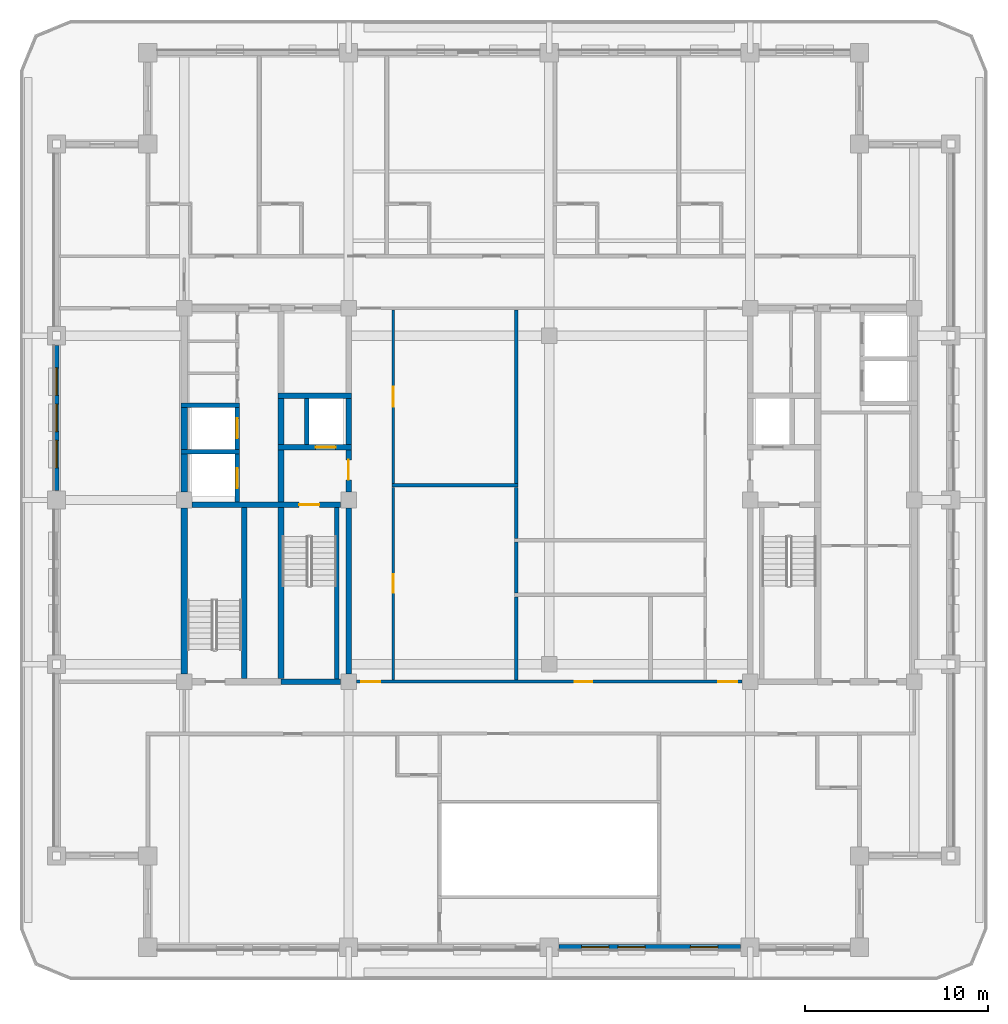
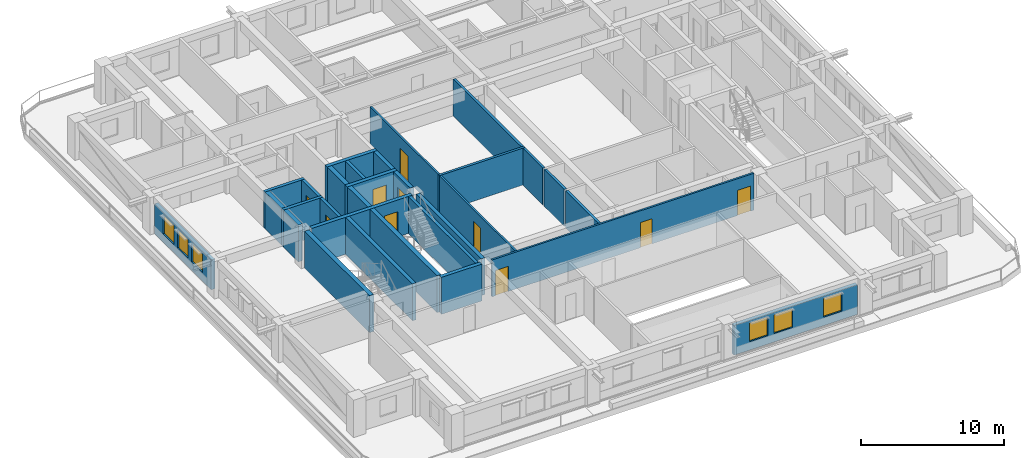
# One storey, part 3 of 14: 30 walls, 10 doors, 6 windows, 16 openings.
"""IFC4 building model written with IfcOpenShell, lengths in metres."""

from ifc_helpers import new_model, si_unit, direction, frame, frame_2d, origin, place, context, subcontext, project, spatial, rectangle, extrude, material, layer, layer_set, type_object, element, fill, save


model = new_model("IFC4")

# Units and contexts
model_context = context("Model", 3, precision=1e-05, world=origin(), true_north=direction((0.0, 1.0)))
body_context = subcontext(model_context, "Body", "Model", "MODEL_VIEW")
ifc_project = project(units=[si_unit("LENGTHUNIT", "METRE"), si_unit("AREAUNIT", "SQUARE_METRE"), si_unit("VOLUMEUNIT", "CUBIC_METRE"), si_unit("PLANEANGLEUNIT", "RADIAN"), si_unit("MASSUNIT", "GRAM", prefix="KILO")], contexts=[model_context])

# Site, building, storey
site_placement = place(None, origin())
site = spatial("IfcSite", under=ifc_project, at=site_placement, CompositionType="ELEMENT")
building_placement = place(site_placement, origin())
building = spatial("IfcBuilding", under=site, at=building_placement, Name="Zulmaris Gate Convention Tower", CompositionType="ELEMENT")
storey_placement = place(building_placement, frame((0.0, 0.0, 215.260009765625)))
storey = spatial("IfcBuildingStorey", under=building, at=storey_placement, Name="L56", CompositionType="ELEMENT", Elevation=215.260009765625)

# Walls
ifc_material_1 = material(Name="Concrete C50/60", Category="concrete")
ifc_layer_1 = layer(ifc_material_1, 0.25, Name="Concrete C50/60")
ifc_layer_set_1 = layer_set([ifc_layer_1], Name="Concrete C50/60")
wall_type_1 = type_object("IfcWallType", Name="CORE-250", PredefinedType="SOLIDWALL", material=ifc_layer_set_1)
for number, where, z_axis, x_axis, name in (
    (1, (-20.175048828125, 2.64990234375, 0.0), (0.0, 0.0, 1.0), (1.0, 0.0, 0.0), "WL-L56-007"),
    (2, (-20.175048828125, 5.199951171875, 0.0), (0.0, 0.0, 1.0), (1.0, 0.0, 0.0), "WL-L56-010"),
):
    element("IfcWall", number, at=place(storey_placement, frame(where, z_axis=z_axis, x_axis=x_axis)), inside=storey, type_object=wall_type_1, Name=name, PredefinedType="SOLIDWALL", context=body_context, shape_type="SweptSolid", body=[
        extrude(rectangle(XDim=3.199951171875, YDim=0.25, at=frame_2d((1.60009765625, 0.0))), origin(), (0.0, 0.0, 1.0), 3.14990234375),
    ])

# Wall, opening, door
wall_1_placement = place(storey_placement, frame((-17.10009765625, -0.097900390625, 0.0), z_axis=(0.0, 0.0, 1.0), x_axis=(0.0, 1.0, 0.0)))
wall_1 = element("IfcWall", 3, at=wall_1_placement, inside=storey, type_object=wall_type_1, Name="WL-L56-050", PredefinedType="SOLIDWALL", context=body_context, shape_type="SweptSolid", body=[
    extrude(rectangle(XDim=2.620849609375, YDim=0.25, at=frame_2d((1.310546875, 0.0))), origin(), (0.0, 0.0, 1.0), 3.14990234375),
])
opening_1_placement = place(wall_1_placement, frame((0.748046875, 0.0, 0.0)))
opening_1 = element("IfcOpeningElement", 4, at=opening_1_placement, cuts=wall_1, Name="Opening D-06", PredefinedType="OPENING", context=body_context, shape_type="SweptSolid", body=[
    extrude(rectangle(XDim=1.10009765625, YDim=2.199951171875, at=frame_2d((0.550048828125, 1.10009765625))), frame((0.0, 0.135009765625, 0.0), z_axis=(0.0, -1.0, 0.0), x_axis=(1.0, 0.0, 0.0)), (0.0, 0.0, 1.0), 0.27001953125),
])
ifc_material_2 = material(Name="Brushed Stainless Steel", Category="steel")
door_type_1 = type_object("IfcDoorType", Name="LD-1100", OperationType="NOTDEFINED", PredefinedType="DOOR", material=ifc_material_2)
door_1_placement = place(opening_1_placement, origin())
door_1 = element("IfcDoor", 5, at=door_1_placement, inside=storey, type_object=door_type_1, Name="L56 Lift Landing Door HP-03 11", OperationType="SLIDING_TO_LEFT", OverallHeight=2.199951171875, OverallWidth=1.10009765625, PredefinedType="DOOR", context=body_context, shape_type="SweptSolid", body=[
    extrude(rectangle(XDim=1.10009765625, YDim=2.199951171875, at=frame_2d((0.550048828125, 1.10009765625))), frame((0.0, 0.02490234375, 0.0), z_axis=(0.0, -1.0, 0.0), x_axis=(1.0, 0.0, 0.0)), (0.0, 0.0, 1.0), 0.050048828125),
])
fill(opening_1, door_1)

wall_2_placement = place(storey_placement, frame((-17.10009765625, 2.777099609375, 0.0), z_axis=(0.0, 0.0, 1.0), x_axis=(0.0, 1.0, 0.0)))
wall_2 = element("IfcWall", 6, at=wall_2_placement, inside=storey, type_object=wall_type_1, Name="WL-L56-051", PredefinedType="SOLIDWALL", context=body_context, shape_type="SweptSolid", body=[
    extrude(rectangle(XDim=2.2958984375, YDim=0.25, at=frame_2d((1.14794921875, 0.0))), origin(), (0.0, 0.0, 1.0), 3.14990234375),
])
opening_2_placement = place(wall_2_placement, frame((0.597900390625, 0.0, 0.0)))
opening_2 = element("IfcOpeningElement", 7, at=opening_2_placement, cuts=wall_2, Name="Opening D-06", PredefinedType="OPENING", context=body_context, shape_type="SweptSolid", body=[
    extrude(rectangle(XDim=1.10009765625, YDim=2.199951171875, at=frame_2d((0.550048828125, 1.10009765625))), frame((0.0, 0.135009765625, 0.0), z_axis=(0.0, -1.0, 0.0), x_axis=(1.0, 0.0, 0.0)), (0.0, 0.0, 1.0), 0.27001953125),
])
door_2_placement = place(opening_2_placement, origin())
door_2 = element("IfcDoor", 8, at=door_2_placement, inside=storey, type_object=door_type_1, Name="L56 Lift Landing Door HP-04 12", OperationType="SLIDING_TO_LEFT", OverallHeight=2.199951171875, OverallWidth=1.10009765625, PredefinedType="DOOR", context=body_context, shape_type="SweptSolid", body=[
    extrude(rectangle(XDim=1.10009765625, YDim=2.199951171875, at=frame_2d((0.550048828125, 1.10009765625))), frame((0.0, 0.02490234375, 0.0), z_axis=(0.0, -1.0, 0.0), x_axis=(1.0, 0.0, 0.0)), (0.0, 0.0, 1.0), 0.050048828125),
])
fill(opening_2, door_2)

# Walls
wall_3_placement = place(storey_placement, frame((-13.300048828125, 3.052001953125, 0.0), z_axis=(0.0, 0.0, 1.0), x_axis=(0.0, 1.0, 0.0)))
element("IfcWall", 9, at=wall_3_placement, inside=storey, type_object=wall_type_1, Name="WL-L56-057", PredefinedType="SOLIDWALL", context=body_context, shape_type="SweptSolid", body=[
    extrude(rectangle(XDim=2.49609375, YDim=0.25, at=frame_2d((1.248046875, 0.0))), origin(), (0.0, 0.0, 1.0), 3.14990234375),
])
wall_4_placement = place(storey_placement, frame((-11.64990234375, -9.798095703125, 0.0), z_axis=(0.0, 0.0, 1.0), x_axis=(0.0, 1.0, 0.0)))
element("IfcWall", 10, at=wall_4_placement, inside=storey, type_object=wall_type_1, Name="WL-L56-058", PredefinedType="SOLIDWALL", context=body_context, shape_type="SweptSolid", body=[
    extrude(rectangle(XDim=9.39599609375, YDim=0.25, at=frame_2d((4.697998046875, 0.0))), origin(), (0.0, 0.0, 1.0), 3.14990234375),
])
ifc_layer_2 = layer(ifc_material_1, 0.300048828125, Name="Concrete C50/60")
ifc_layer_set_2 = layer_set([ifc_layer_2], Name="Concrete C50/60")
wall_type_2 = type_object("IfcWallType", Name="CORE-300", PredefinedType="SHEAR", material=ifc_layer_set_2)
wall_5_placement = place(storey_placement, frame((-14.699951171875, -9.949951171875, 0.0), z_axis=(0.0, 0.0, 1.0), x_axis=(1.0, 0.0, 0.0)))
element("IfcWall", 11, at=wall_5_placement, inside=storey, type_object=wall_type_2, Name="WL-L56-002", PredefinedType="SHEAR", context=body_context, shape_type="SweptSolid", body=[
    extrude(rectangle(XDim=3.27099609375, YDim=0.300048828125, at=frame_2d((1.635498046875, 0.0))), origin(), (0.0, 0.0, 1.0), 3.14990234375),
])

# Wall, opening, door
wall_6_placement = place(storey_placement, frame((-19.571044921875, -0.25, 0.0), z_axis=(0.0, 0.0, 1.0), x_axis=(1.0, 0.0, 0.0)))
wall_6 = element("IfcWall", 12, at=wall_6_placement, inside=storey, type_object=wall_type_2, Name="WL-L56-005", PredefinedType="SHEAR", context=body_context, shape_type="SweptSolid", body=[
    extrude(rectangle(XDim=8.14208984375, YDim=0.300048828125, at=frame_2d((4.071044921875, 0.0))), origin(), (0.0, 0.0, 1.0), 3.14990234375),
])
opening_3_placement = place(wall_6_placement, frame((5.87109375, 0.0, 0.0)))
opening_3 = element("IfcOpeningElement", 13, at=opening_3_placement, cuts=wall_6, Name="Opening D-08", PredefinedType="OPENING", context=body_context, shape_type="SweptSolid", body=[
    extrude(rectangle(XDim=1.10009765625, YDim=2.14990234375, at=frame_2d((0.550048828125, 1.074951171875))), frame((0.0, 0.16015625, 0.0), z_axis=(0.0, -1.0, 0.0), x_axis=(1.0, 0.0, 0.0)), (0.0, 0.0, 1.0), 0.320068359375),
])
ifc_material_3 = material(Name="Fire-Rated Steel", Category="steel")
door_type_2 = type_object("IfcDoorType", Name="DR-1100-FD", OperationType="NOTDEFINED", PredefinedType="DOOR", material=ifc_material_3)
door_3_placement = place(opening_3_placement, origin())
door_3 = element("IfcDoor", 14, at=door_3_placement, inside=storey, type_object=door_type_2, Name="L56 Exit Stair ST-1 Door 01", OperationType="SINGLE_SWING_RIGHT", OverallHeight=2.14990234375, OverallWidth=1.10009765625, PredefinedType="DOOR", context=body_context, shape_type="SweptSolid", body=[
    extrude(rectangle(XDim=1.10009765625, YDim=2.14990234375, at=frame_2d((0.550048828125, 1.074951171875))), frame((0.0, 0.02490234375, 0.0), z_axis=(0.0, -1.0, 0.0), x_axis=(1.0, 0.0, 0.0)), (0.0, 0.0, 1.0), 0.050048828125),
])
fill(opening_3, door_3)

wall_7_placement = place(storey_placement, frame((-14.875, 2.89990234375, 0.0), z_axis=(0.0, 0.0, 1.0), x_axis=(1.0, 0.0, 0.0)))
wall_7 = element("IfcWall", 15, at=wall_7_placement, inside=storey, type_object=wall_type_2, Name="WL-L56-008", PredefinedType="SHEAR", context=body_context, shape_type="SweptSolid", body=[
    extrude(rectangle(XDim=4.02490234375, YDim=0.300048828125, at=frame_2d((2.012451171875, 0.0))), origin(), (0.0, 0.0, 1.0), 3.14990234375),
])
opening_4_placement = place(wall_7_placement, frame((2.074951171875, 0.0, 0.0)))
opening_4 = element("IfcOpeningElement", 16, at=opening_4_placement, cuts=wall_7, Name="Opening D-06", PredefinedType="OPENING", context=body_context, shape_type="SweptSolid", body=[
    extrude(rectangle(XDim=1.10009765625, YDim=2.199951171875, at=frame_2d((0.550048828125, 1.10009765625))), frame((0.0, 0.16015625, 0.0), z_axis=(0.0, -1.0, 0.0), x_axis=(1.0, 0.0, 0.0)), (0.0, 0.0, 1.0), 0.320068359375),
])
door_4_placement = place(opening_4_placement, origin())
door_4 = element("IfcDoor", 17, at=door_4_placement, inside=storey, type_object=door_type_1, Name="L56 Lift Landing Door LF-01 03", OperationType="SLIDING_TO_LEFT", OverallHeight=2.199951171875, OverallWidth=1.10009765625, PredefinedType="DOOR", context=body_context, shape_type="SweptSolid", body=[
    extrude(rectangle(XDim=1.10009765625, YDim=2.199951171875, at=frame_2d((0.550048828125, 1.10009765625))), frame((0.0, 0.02490234375, 0.0), z_axis=(0.0, -1.0, 0.0), x_axis=(1.0, 0.0, 0.0)), (0.0, 0.0, 1.0), 0.050048828125),
])
fill(opening_4, door_4)

# Walls
wall_8_placement = place(storey_placement, frame((-14.875, 5.699951171875, 0.0), z_axis=(0.0, 0.0, 1.0), x_axis=(1.0, 0.0, 0.0)))
element("IfcWall", 18, at=wall_8_placement, inside=storey, type_object=wall_type_2, Name="WL-L56-012", PredefinedType="SHEAR", context=body_context, shape_type="SweptSolid", body=[
    extrude(rectangle(XDim=4.02490234375, YDim=0.300048828125, at=frame_2d((2.012451171875, 0.0))), origin(), (0.0, 0.0, 1.0), 3.14990234375),
])
wall_9_placement = place(storey_placement, frame((-16.699951171875, -9.77294921875, 0.0), z_axis=(0.0, 0.0, 1.0), x_axis=(0.0, 1.0, 0.0)))
element("IfcWall", 19, at=wall_9_placement, inside=storey, type_object=wall_type_2, Name="WL-L56-052", PredefinedType="SHEAR", context=body_context, shape_type="SweptSolid", body=[
    extrude(rectangle(XDim=9.370849609375, YDim=0.300048828125, at=frame_2d((4.685546875, 0.0))), origin(), (0.0, 0.0, 1.0), 3.14990234375),
])
wall_10_placement = place(storey_placement, frame((-11.0, -9.52099609375, 0.0), z_axis=(0.0, 0.0, 1.0), x_axis=(0.0, 1.0, 0.0)))
element("IfcWall", 20, at=wall_10_placement, inside=storey, type_object=wall_type_2, Name="WL-L56-059", PredefinedType="SHEAR", context=body_context, shape_type="SweptSolid", body=[
    extrude(rectangle(XDim=9.092041015625, YDim=0.300048828125, at=frame_2d((4.5458984375, 0.0))), origin(), (0.0, 0.0, 1.0), 3.14990234375),
])

# Wall, opening, door
wall_11_placement = place(storey_placement, frame((-11.0, 0.428955078125, 0.0), z_axis=(0.0, 0.0, 1.0), x_axis=(0.0, 1.0, 0.0)))
wall_11 = element("IfcWall", 21, at=wall_11_placement, inside=storey, type_object=wall_type_2, Name="WL-L56-060", PredefinedType="SHEAR", context=body_context, shape_type="SweptSolid", body=[
    extrude(rectangle(XDim=2.319091796875, YDim=0.300048828125, at=frame_2d((1.15966796875, 0.0))), origin(), (0.0, 0.0, 1.0), 3.14990234375),
])
opening_5_placement = place(wall_11_placement, frame((0.6708984375, 0.0, 0.0)))
opening_5 = element("IfcOpeningElement", 22, at=opening_5_placement, cuts=wall_11, Name="Opening D-08", PredefinedType="OPENING", context=body_context, shape_type="SweptSolid", body=[
    extrude(rectangle(XDim=1.10009765625, YDim=2.14990234375, at=frame_2d((0.550048828125, 1.074951171875))), frame((0.0, 0.16015625, 0.0), z_axis=(0.0, -1.0, 0.0), x_axis=(1.0, 0.0, 0.0)), (0.0, 0.0, 1.0), 0.320068359375),
])
door_5_placement = place(opening_5_placement, origin())
door_5 = element("IfcDoor", 23, at=door_5_placement, inside=storey, type_object=door_type_2, Name="L56 West Firefighting Lobby Door 02", OperationType="SINGLE_SWING_LEFT", OverallHeight=2.14990234375, OverallWidth=1.10009765625, PredefinedType="DOOR", context=body_context, shape_type="SweptSolid", body=[
    extrude(rectangle(XDim=1.10009765625, YDim=2.14990234375, at=frame_2d((0.550048828125, 1.074951171875))), frame((0.0, 0.02490234375, 0.0), z_axis=(0.0, -1.0, 0.0), x_axis=(1.0, 0.0, 0.0)), (0.0, 0.0, 1.0), 0.050048828125),
])
fill(opening_5, door_5)

# Walls
wall_12_placement = place(storey_placement, frame((-11.0, 3.052001953125, 0.0), z_axis=(0.0, 0.0, 1.0), x_axis=(0.0, 1.0, 0.0)))
element("IfcWall", 24, at=wall_12_placement, inside=storey, type_object=wall_type_2, Name="WL-L56-061", PredefinedType="SHEAR", context=body_context, shape_type="SweptSolid", body=[
    extrude(rectangle(XDim=2.49609375, YDim=0.300048828125, at=frame_2d((1.248046875, 0.0))), origin(), (0.0, 0.0, 1.0), 3.14990234375),
])
ifc_material_4 = material(Name="Concrete C55/67", Category="concrete")
ifc_layer_3 = layer(ifc_material_4, 0.35009765625, Name="Concrete C55/67")
ifc_layer_set_3 = layer_set([ifc_layer_3], Name="Concrete C55/67")
wall_type_3 = type_object("IfcWallType", Name="CORE-350", PredefinedType="SHEAR", material=ifc_layer_set_3)
wall_13_placement = place(storey_placement, frame((-20.0, -9.52099609375, 0.0), z_axis=(0.0, 0.0, 1.0), x_axis=(0.0, 1.0, 0.0)))
element("IfcWall", 25, at=wall_13_placement, inside=storey, type_object=wall_type_3, Name="WL-L56-046", PredefinedType="SHEAR", context=body_context, shape_type="SweptSolid", body=[
    extrude(rectangle(XDim=9.092041015625, YDim=0.35009765625, at=frame_2d((4.5458984375, 0.0))), origin(), (0.0, 0.0, 1.0), 3.14990234375),
])
wall_14_placement = place(storey_placement, frame((-20.0, 0.428955078125, 0.0), z_axis=(0.0, 0.0, 1.0), x_axis=(0.0, 1.0, 0.0)))
element("IfcWall", 26, at=wall_14_placement, inside=storey, type_object=wall_type_3, Name="WL-L56-047", PredefinedType="SHEAR", context=body_context, shape_type="SweptSolid", body=[
    extrude(rectangle(XDim=2.093994140625, YDim=0.35009765625, at=frame_2d((1.046875, 0.0))), origin(), (0.0, 0.0, 1.0), 3.14990234375),
])
wall_15_placement = place(storey_placement, frame((-20.0, 2.777099609375, 0.0), z_axis=(0.0, 0.0, 1.0), x_axis=(0.0, 1.0, 0.0)))
element("IfcWall", 27, at=wall_15_placement, inside=storey, type_object=wall_type_3, Name="WL-L56-048", PredefinedType="SHEAR", context=body_context, shape_type="SweptSolid", body=[
    extrude(rectangle(XDim=2.2958984375, YDim=0.35009765625, at=frame_2d((1.14794921875, 0.0))), origin(), (0.0, 0.0, 1.0), 3.14990234375),
])
wall_16_placement = place(storey_placement, frame((-14.699951171875, -9.77294921875, 0.0), z_axis=(0.0, 0.0, 1.0), x_axis=(0.0, 1.0, 0.0)))
element("IfcWall", 28, at=wall_16_placement, inside=storey, type_object=wall_type_3, Name="WL-L56-053", PredefinedType="SHEAR", context=body_context, shape_type="SweptSolid", body=[
    extrude(rectangle(XDim=9.370849609375, YDim=0.35009765625, at=frame_2d((4.685546875, 0.0))), origin(), (0.0, 0.0, 1.0), 3.14990234375),
])
wall_17_placement = place(storey_placement, frame((-14.699951171875, -0.097900390625, 0.0), z_axis=(0.0, 0.0, 1.0), x_axis=(0.0, 1.0, 0.0)))
element("IfcWall", 29, at=wall_17_placement, inside=storey, type_object=wall_type_3, Name="WL-L56-054", PredefinedType="SHEAR", context=body_context, shape_type="SweptSolid", body=[
    extrude(rectangle(XDim=2.845947265625, YDim=0.35009765625, at=frame_2d((1.4228515625, 0.0))), origin(), (0.0, 0.0, 1.0), 3.14990234375),
])
wall_18_placement = place(storey_placement, frame((-14.699951171875, 3.052001953125, 0.0), z_axis=(0.0, 0.0, 1.0), x_axis=(0.0, 1.0, 0.0)))
element("IfcWall", 30, at=wall_18_placement, inside=storey, type_object=wall_type_3, Name="WL-L56-055", PredefinedType="SHEAR", context=body_context, shape_type="SweptSolid", body=[
    extrude(rectangle(XDim=2.49609375, YDim=0.35009765625, at=frame_2d((1.248046875, 0.0))), origin(), (0.0, 0.0, 1.0), 3.14990234375),
])

# Wall, openings, doors
ifc_material_5 = material(Name="Gypsum Metal Stud Partition")
ifc_layer_4 = layer(ifc_material_5, 0.14990234375, Name="Gypsum Metal Stud Partition")
ifc_layer_set_4 = layer_set([ifc_layer_4], Name="Gypsum Metal Stud Partition")
wall_type_4 = type_object("IfcWallType", Name="PART-150", PredefinedType="PARTITIONING", material=ifc_layer_set_4)
wall_19_placement = place(storey_placement, frame((-10.569091796875, -9.949951171875, 0.0), z_axis=(0.0, 0.0, 1.0), x_axis=(1.0, 0.0, 0.0)))
wall_19 = element("IfcWall", 31, at=wall_19_placement, inside=storey, type_object=wall_type_4, Name="WL-L56-028", PredefinedType="PARTITIONING", context=body_context, shape_type="SweptSolid", body=[
    extrude(rectangle(XDim=21.13818359375, YDim=0.14990234375, at=frame_2d((10.569091796875, 0.0))), origin(), (0.0, 0.0, 1.0), 3.14990234375),
])
opening_6_placement = place(wall_19_placement, frame((0.263916015625, 0.0, 0.0)))
opening_6 = element("IfcOpeningElement", 32, at=opening_6_placement, cuts=wall_19, Name="Opening D-09", PredefinedType="OPENING", context=body_context, shape_type="SweptSolid", body=[
    extrude(rectangle(XDim=1.050048828125, YDim=2.14990234375, at=frame_2d((0.52490234375, 1.074951171875))), frame((0.0, 0.0849609375, 0.0), z_axis=(0.0, -1.0, 0.0), x_axis=(1.0, 0.0, 0.0)), (0.0, 0.0, 1.0), 0.169921875),
])
opening_7_placement = place(wall_19_placement, frame((19.823974609375, 0.0, 0.0)))
opening_7 = element("IfcOpeningElement", 33, at=opening_7_placement, cuts=wall_19, Name="Opening D-09", PredefinedType="OPENING", context=body_context, shape_type="SweptSolid", body=[
    extrude(rectangle(XDim=1.050048828125, YDim=2.14990234375, at=frame_2d((0.52490234375, 1.074951171875))), frame((0.0, 0.0849609375, 0.0), z_axis=(0.0, -1.0, 0.0), x_axis=(1.0, 0.0, 0.0)), (0.0, 0.0, 1.0), 0.169921875),
])
opening_8_placement = place(wall_19_placement, frame((11.97412109375, 0.0, 0.0)))
opening_8 = element("IfcOpeningElement", 34, at=opening_8_placement, cuts=wall_19, Name="Opening D-11", PredefinedType="OPENING", context=body_context, shape_type="SweptSolid", body=[
    extrude(rectangle(XDim=0.949951171875, YDim=2.14990234375, at=frame_2d((0.47509765625, 1.074951171875))), frame((0.0, 0.0849609375, 0.0), z_axis=(0.0, -1.0, 0.0), x_axis=(1.0, 0.0, 0.0)), (0.0, 0.0, 1.0), 0.169921875),
])
door_type_3 = type_object("IfcDoorType", Name="DR-1050-FD", OperationType="NOTDEFINED", PredefinedType="DOOR", material=ifc_material_3)
door_6_placement = place(opening_6_placement, origin())
door_6 = element("IfcDoor", 35, at=door_6_placement, inside=storey, type_object=door_type_3, Name="L56 SW Hotel Loop Door 25", OperationType="SINGLE_SWING_RIGHT", OverallHeight=2.14990234375, OverallWidth=1.050048828125, PredefinedType="DOOR", context=body_context, shape_type="SweptSolid", body=[
    extrude(rectangle(XDim=1.050048828125, YDim=2.14990234375, at=frame_2d((0.52490234375, 1.074951171875))), frame((0.0, 0.02490234375, 0.0), z_axis=(0.0, -1.0, 0.0), x_axis=(1.0, 0.0, 0.0)), (0.0, 0.0, 1.0), 0.050048828125),
])
fill(opening_6, door_6)
door_7_placement = place(opening_7_placement, origin())
door_7 = element("IfcDoor", 36, at=door_7_placement, inside=storey, type_object=door_type_3, Name="L56 SE Hotel Loop Door 27", OperationType="SINGLE_SWING_RIGHT", OverallHeight=2.14990234375, OverallWidth=1.050048828125, PredefinedType="DOOR", context=body_context, shape_type="SweptSolid", body=[
    extrude(rectangle(XDim=1.050048828125, YDim=2.14990234375, at=frame_2d((0.52490234375, 1.074951171875))), frame((0.0, 0.02490234375, 0.0), z_axis=(0.0, -1.0, 0.0), x_axis=(1.0, 0.0, 0.0)), (0.0, 0.0, 1.0), 0.050048828125),
])
fill(opening_7, door_7)
ifc_material_6 = material(Name="Fire-Rated Timber", Category="wood")
door_type_4 = type_object("IfcDoorType", Name="DR-950-FD", OperationType="NOTDEFINED", PredefinedType="DOOR", material=ifc_material_6)
door_8_placement = place(opening_8_placement, origin())
door_8 = element("IfcDoor", 37, at=door_8_placement, inside=storey, type_object=door_type_4, Name="L56 Staging Store Door 50", OperationType="SINGLE_SWING_LEFT", OverallHeight=2.14990234375, OverallWidth=0.949951171875, PredefinedType="DOOR", context=body_context, shape_type="SweptSolid", body=[
    extrude(rectangle(XDim=0.949951171875, YDim=2.14990234375, at=frame_2d((0.47509765625, 1.074951171875))), frame((0.0, 0.02490234375, 0.0), z_axis=(0.0, -1.0, 0.0), x_axis=(1.0, 0.0, 0.0)), (0.0, 0.0, 1.0), 0.050048828125),
])
fill(opening_8, door_8)

# Wall, opening, door
wall_20_placement = place(storey_placement, frame((-8.550048828125, -9.8720703125, 0.0), z_axis=(0.0, 0.0, 1.0), x_axis=(0.0, 1.0, 0.0)))
wall_20 = element("IfcWall", 38, at=wall_20_placement, inside=storey, type_object=wall_type_4, Name="WL-L56-092", PredefinedType="PARTITIONING", context=body_context, shape_type="SweptSolid", body=[
    extrude(rectangle(XDim=10.569091796875, YDim=0.14990234375, at=frame_2d((5.28466796875, 0.0))), origin(), (0.0, 0.0, 1.0), 3.14990234375),
])
opening_9_placement = place(wall_20_placement, frame((4.802001953125, 0.0, 0.0)))
opening_9 = element("IfcOpeningElement", 39, at=opening_9_placement, cuts=wall_20, Name="Opening D-10", PredefinedType="OPENING", context=body_context, shape_type="SweptSolid", body=[
    extrude(rectangle(XDim=1.0, YDim=2.14990234375, at=frame_2d((0.5, 1.074951171875))), frame((0.0, 0.0849609375, 0.0), z_axis=(0.0, -1.0, 0.0), x_axis=(1.0, 0.0, 0.0)), (0.0, 0.0, 1.0), 0.169921875),
])
door_type_5 = type_object("IfcDoorType", Name="DR-1000-FD", OperationType="NOTDEFINED", PredefinedType="DOOR", material=ifc_material_6)
door_9_placement = place(opening_9_placement, origin())
door_9 = element("IfcDoor", 40, at=door_9_placement, inside=storey, type_object=door_type_5, Name="L56 Guest Study Door 46", OperationType="SINGLE_SWING_LEFT", OverallHeight=2.14990234375, OverallWidth=1.0, PredefinedType="DOOR", context=body_context, shape_type="SweptSolid", body=[
    extrude(rectangle(XDim=1.0, YDim=2.14990234375, at=frame_2d((0.5, 1.074951171875))), frame((0.0, 0.02490234375, 0.0), z_axis=(0.0, -1.0, 0.0), x_axis=(1.0, 0.0, 0.0)), (0.0, 0.0, 1.0), 0.050048828125),
])
fill(opening_9, door_9)

wall_21_placement = place(storey_placement, frame((-8.550048828125, 0.903076171875, 0.0), z_axis=(0.0, 0.0, 1.0), x_axis=(0.0, 1.0, 0.0)))
wall_21 = element("IfcWall", 41, at=wall_21_placement, inside=storey, type_object=wall_type_4, Name="WL-L56-093", PredefinedType="PARTITIONING", context=body_context, shape_type="SweptSolid", body=[
    extrude(rectangle(XDim=9.51904296875, YDim=0.14990234375, at=frame_2d((4.759521484375, 0.0))), origin(), (0.0, 0.0, 1.0), 3.14990234375),
])
opening_10_placement = place(wall_21_placement, frame((4.197021484375, 0.0, 0.0)))
opening_10 = element("IfcOpeningElement", 42, at=opening_10_placement, cuts=wall_21, Name="Opening D-08", PredefinedType="OPENING", context=body_context, shape_type="SweptSolid", body=[
    extrude(rectangle(XDim=1.10009765625, YDim=2.14990234375, at=frame_2d((0.550048828125, 1.074951171875))), frame((0.0, 0.0849609375, 0.0), z_axis=(0.0, -1.0, 0.0), x_axis=(1.0, 0.0, 0.0)), (0.0, 0.0, 1.0), 0.169921875),
])
door_10_placement = place(opening_10_placement, origin())
door_10 = element("IfcDoor", 43, at=door_10_placement, inside=storey, type_object=door_type_2, Name="L56 Club Lounge Door 45", OperationType="SINGLE_SWING_RIGHT", OverallHeight=2.14990234375, OverallWidth=1.10009765625, PredefinedType="DOOR", context=body_context, shape_type="SweptSolid", body=[
    extrude(rectangle(XDim=1.10009765625, YDim=2.14990234375, at=frame_2d((0.550048828125, 1.074951171875))), frame((0.0, 0.02490234375, 0.0), z_axis=(0.0, -1.0, 0.0), x_axis=(1.0, 0.0, 0.0)), (0.0, 0.0, 1.0), 0.050048828125),
])
fill(opening_10, door_10)

# Walls
ifc_material_7 = material(Name="Autoclaved Aerated Concrete Block and Plasterboard", Category="concrete")
ifc_layer_5 = layer(ifc_material_7, 0.199951171875, Name="Autoclaved Aerated Concrete Block and Plasterboard")
ifc_layer_set_5 = layer_set([ifc_layer_5], Name="Autoclaved Aerated Concrete Block and Plasterboard")
wall_type_5 = type_object("IfcWallType", Name="PART-200", PredefinedType="PARTITIONING", material=ifc_layer_set_5)
wall_22_placement = place(storey_placement, frame((-8.625, 0.800048828125, 0.0), z_axis=(0.0, 0.0, 1.0), x_axis=(1.0, 0.0, 0.0)))
element("IfcWall", 44, at=wall_22_placement, inside=storey, type_object=wall_type_5, Name="WL-L56-032", PredefinedType="PARTITIONING", context=body_context, shape_type="SweptSolid", body=[
    extrude(rectangle(XDim=6.925048828125, YDim=0.199951171875, at=frame_2d((3.46240234375, 0.0))), origin(), (0.0, 0.0, 1.0), 3.14990234375),
])
wall_23_placement = place(storey_placement, frame((-1.800048828125, -9.8720703125, 0.0), z_axis=(0.0, 0.0, 1.0), x_axis=(0.0, 1.0, 0.0)))
element("IfcWall", 45, at=wall_23_placement, inside=storey, type_object=wall_type_5, Name="WL-L56-100", PredefinedType="PARTITIONING", context=body_context, shape_type="SweptSolid", body=[
    extrude(rectangle(XDim=4.569091796875, YDim=0.199951171875, at=frame_2d((2.28466796875, 0.0))), origin(), (0.0, 0.0, 1.0), 3.14990234375),
])
for number, where, z_axis, x_axis, name in (
    (46, (-1.800048828125, -5.096923828125, 0.0), (0.0, 0.0, 1.0), (0.0, 1.0, 0.0), "WL-L56-101"),
    (47, (-1.800048828125, -2.096923828125, 0.0), (0.0, 0.0, 1.0), (0.0, 1.0, 0.0), "WL-L56-102"),
):
    element("IfcWall", number, at=place(storey_placement, frame(where, z_axis=z_axis, x_axis=x_axis)), inside=storey, type_object=wall_type_5, Name=name, PredefinedType="PARTITIONING", context=body_context, shape_type="SweptSolid", body=[
        extrude(rectangle(XDim=2.7939453125, YDim=0.199951171875, at=frame_2d((1.39697265625, 0.0))), origin(), (0.0, 0.0, 1.0), 3.14990234375),
    ])
wall_24_placement = place(storey_placement, frame((-1.800048828125, 0.903076171875, 0.0), z_axis=(0.0, 0.0, 1.0), x_axis=(0.0, 1.0, 0.0)))
element("IfcWall", 48, at=wall_24_placement, inside=storey, type_object=wall_type_5, Name="WL-L56-103", PredefinedType="PARTITIONING", context=body_context, shape_type="SweptSolid", body=[
    extrude(rectangle(XDim=9.51904296875, YDim=0.199951171875, at=frame_2d((4.759521484375, 0.0))), origin(), (0.0, 0.0, 1.0), 3.14990234375),
])

# Wall, openings, windows
ifc_material_8 = material(Name="Precast concrete C40/50", Category="concrete")
ifc_layer_6 = layer(ifc_material_8, 0.300048828125, Name="Precast concrete C40/50")
ifc_layer_set_6 = layer_set([ifc_layer_6], Name="Precast concrete C40/50")
wall_type_6 = type_object("IfcWallType", Name="PRECAST-PIER-300", PredefinedType="STANDARD", material=ifc_layer_set_6)
wall_25_placement = place(storey_placement, frame((0.530029296875, -24.5, 0.0), z_axis=(0.0, 0.0, 1.0), x_axis=(1.0, 0.0, 0.0)))
wall_25 = element("IfcWall", 49, at=wall_25_placement, inside=storey, type_object=wall_type_6, Name="EW-L56-S-2_0", PredefinedType="STANDARD", context=body_context, shape_type="SweptSolid", body=[
    extrude(rectangle(XDim=9.93994140625, YDim=0.300048828125, at=frame_2d((4.969970703125, 0.0))), origin(), (0.0, 0.0, 1.0), 2.5419921875),
])
opening_11_placement = place(wall_25_placement, frame((1.238037109375, 0.0, 0.719970703125)))
opening_11 = element("IfcOpeningElement", 50, at=opening_11_placement, cuts=wall_25, Name="Opening W-03", PredefinedType="OPENING", context=body_context, shape_type="SweptSolid", body=[
    extrude(rectangle(XDim=1.5, YDim=1.60009765625, at=frame_2d((0.75, 0.800048828125))), frame((0.0, 0.16015625, 0.0), z_axis=(0.0, -1.0, 0.0), x_axis=(1.0, 0.0, 0.0)), (0.0, 0.0, 1.0), 0.320068359375),
])
opening_12_placement = place(wall_25_placement, frame((3.22607421875, 0.0, 0.719970703125)))
opening_12 = element("IfcOpeningElement", 51, at=opening_12_placement, cuts=wall_25, Name="Opening W-03", PredefinedType="OPENING", context=body_context, shape_type="SweptSolid", body=[
    extrude(rectangle(XDim=1.5, YDim=1.60009765625, at=frame_2d((0.75, 0.800048828125))), frame((0.0, 0.16015625, 0.0), z_axis=(0.0, -1.0, 0.0), x_axis=(1.0, 0.0, 0.0)), (0.0, 0.0, 1.0), 0.320068359375),
])
opening_13_placement = place(wall_25_placement, frame((7.201904296875, 0.0, 0.719970703125)))
opening_13 = element("IfcOpeningElement", 52, at=opening_13_placement, cuts=wall_25, Name="Opening W-03", PredefinedType="OPENING", context=body_context, shape_type="SweptSolid", body=[
    extrude(rectangle(XDim=1.5, YDim=1.60009765625, at=frame_2d((0.75, 0.800048828125))), frame((0.0, 0.16015625, 0.0), z_axis=(0.0, -1.0, 0.0), x_axis=(1.0, 0.0, 0.0)), (0.0, 0.0, 1.0), 0.320068359375),
])
ifc_material_9 = material(Name="Low-E Laminated Double Glazing in Aluminium Frame", Category="aluminium")
window_type = type_object("IfcWindowType", Name="WIN-1500x2100", PartitioningType="SINGLE_PANEL", PredefinedType="WINDOW", material=ifc_material_9)
window_1_placement = place(opening_11_placement, origin())
window_1 = element("IfcWindow", 53, at=window_1_placement, inside=storey, type_object=window_type, Name="WN-EW-L56-S-2_0-1", OverallHeight=1.60009765625, OverallWidth=1.5, PartitioningType="SINGLE_PANEL", PredefinedType="WINDOW", context=body_context, shape_type="SweptSolid", body=[
    extrude(rectangle(XDim=1.5, YDim=1.60009765625, at=frame_2d((0.75, 0.800048828125))), frame((0.0, 0.030029296875, 0.0), z_axis=(0.0, -1.0, 0.0), x_axis=(1.0, 0.0, 0.0)), (0.0, 0.0, 1.0), 0.06005859375),
])
fill(opening_11, window_1)
window_2_placement = place(opening_12_placement, origin())
window_2 = element("IfcWindow", 54, at=window_2_placement, inside=storey, type_object=window_type, Name="WN-EW-L56-S-2_0-2", OverallHeight=1.60009765625, OverallWidth=1.5, PartitioningType="SINGLE_PANEL", PredefinedType="WINDOW", context=body_context, shape_type="SweptSolid", body=[
    extrude(rectangle(XDim=1.5, YDim=1.60009765625, at=frame_2d((0.75, 0.800048828125))), frame((0.0, 0.030029296875, 0.0), z_axis=(0.0, -1.0, 0.0), x_axis=(1.0, 0.0, 0.0)), (0.0, 0.0, 1.0), 0.06005859375),
])
fill(opening_12, window_2)
window_3_placement = place(opening_13_placement, origin())
window_3 = element("IfcWindow", 55, at=window_3_placement, inside=storey, type_object=window_type, Name="WN-EW-L56-S-2_0-4", OverallHeight=1.60009765625, OverallWidth=1.5, PartitioningType="SINGLE_PANEL", PredefinedType="WINDOW", context=body_context, shape_type="SweptSolid", body=[
    extrude(rectangle(XDim=1.5, YDim=1.60009765625, at=frame_2d((0.75, 0.800048828125))), frame((0.0, 0.030029296875, 0.0), z_axis=(0.0, -1.0, 0.0), x_axis=(1.0, 0.0, 0.0)), (0.0, 0.0, 1.0), 0.06005859375),
])
fill(opening_13, window_3)

wall_26_placement = place(storey_placement, frame((-27.0, 8.469970703125, 0.0), z_axis=(0.0, 0.0, 1.0), x_axis=(0.0, -1.0, 0.0)))
wall_26 = element("IfcWall", 56, at=wall_26_placement, inside=storey, type_object=wall_type_6, Name="EW-L56-W-2_0", PredefinedType="STANDARD", context=body_context, shape_type="SweptSolid", body=[
    extrude(rectangle(XDim=7.93994140625, YDim=0.300048828125, at=frame_2d((3.969970703125, 0.0))), origin(), (0.0, 0.0, 1.0), 2.5419921875),
])
opening_14_placement = place(wall_26_placement, frame((1.235107421875, 0.0, 0.719970703125)))
opening_14 = element("IfcOpeningElement", 57, at=opening_14_placement, cuts=wall_26, Name="Opening W-03", PredefinedType="OPENING", context=body_context, shape_type="SweptSolid", body=[
    extrude(rectangle(XDim=1.5, YDim=1.60009765625, at=frame_2d((0.75, 0.800048828125))), frame((0.0, 0.16015625, 0.0), z_axis=(0.0, -1.0, 0.0), x_axis=(1.0, 0.0, 0.0)), (0.0, 0.0, 1.0), 0.320068359375),
])
opening_15_placement = place(wall_26_placement, frame((3.219970703125, 0.0, 0.719970703125)))
opening_15 = element("IfcOpeningElement", 58, at=opening_15_placement, cuts=wall_26, Name="Opening W-03", PredefinedType="OPENING", context=body_context, shape_type="SweptSolid", body=[
    extrude(rectangle(XDim=1.5, YDim=1.60009765625, at=frame_2d((0.75, 0.800048828125))), frame((0.0, 0.16015625, 0.0), z_axis=(0.0, -1.0, 0.0), x_axis=(1.0, 0.0, 0.0)), (0.0, 0.0, 1.0), 0.320068359375),
])
opening_16_placement = place(wall_26_placement, frame((5.205078125, 0.0, 0.719970703125)))
opening_16 = element("IfcOpeningElement", 59, at=opening_16_placement, cuts=wall_26, Name="Opening W-03", PredefinedType="OPENING", context=body_context, shape_type="SweptSolid", body=[
    extrude(rectangle(XDim=1.5, YDim=1.60009765625, at=frame_2d((0.75, 0.800048828125))), frame((0.0, 0.16015625, 0.0), z_axis=(0.0, -1.0, 0.0), x_axis=(1.0, 0.0, 0.0)), (0.0, 0.0, 1.0), 0.320068359375),
])
window_4_placement = place(opening_14_placement, origin())
window_4 = element("IfcWindow", 60, at=window_4_placement, inside=storey, type_object=window_type, Name="WN-EW-L56-W-2_0-1", OverallHeight=1.60009765625, OverallWidth=1.5, PartitioningType="SINGLE_PANEL", PredefinedType="WINDOW", context=body_context, shape_type="SweptSolid", body=[
    extrude(rectangle(XDim=1.5, YDim=1.60009765625, at=frame_2d((0.75, 0.800048828125))), frame((0.0, 0.030029296875, 0.0), z_axis=(0.0, -1.0, 0.0), x_axis=(1.0, 0.0, 0.0)), (0.0, 0.0, 1.0), 0.06005859375),
])
fill(opening_14, window_4)
window_5_placement = place(opening_15_placement, origin())
window_5 = element("IfcWindow", 61, at=window_5_placement, inside=storey, type_object=window_type, Name="WN-EW-L56-W-2_0-2", OverallHeight=1.60009765625, OverallWidth=1.5, PartitioningType="SINGLE_PANEL", PredefinedType="WINDOW", context=body_context, shape_type="SweptSolid", body=[
    extrude(rectangle(XDim=1.5, YDim=1.60009765625, at=frame_2d((0.75, 0.800048828125))), frame((0.0, 0.030029296875, 0.0), z_axis=(0.0, -1.0, 0.0), x_axis=(1.0, 0.0, 0.0)), (0.0, 0.0, 1.0), 0.06005859375),
])
fill(opening_15, window_5)
window_6_placement = place(opening_16_placement, origin())
window_6 = element("IfcWindow", 62, at=window_6_placement, inside=storey, type_object=window_type, Name="WN-EW-L56-W-2_0-3", OverallHeight=1.60009765625, OverallWidth=1.5, PartitioningType="SINGLE_PANEL", PredefinedType="WINDOW", context=body_context, shape_type="SweptSolid", body=[
    extrude(rectangle(XDim=1.5, YDim=1.60009765625, at=frame_2d((0.75, 0.800048828125))), frame((0.0, 0.030029296875, 0.0), z_axis=(0.0, -1.0, 0.0), x_axis=(1.0, 0.0, 0.0)), (0.0, 0.0, 1.0), 0.06005859375),
])
fill(opening_16, window_6)

save(model, "model.ifc")
